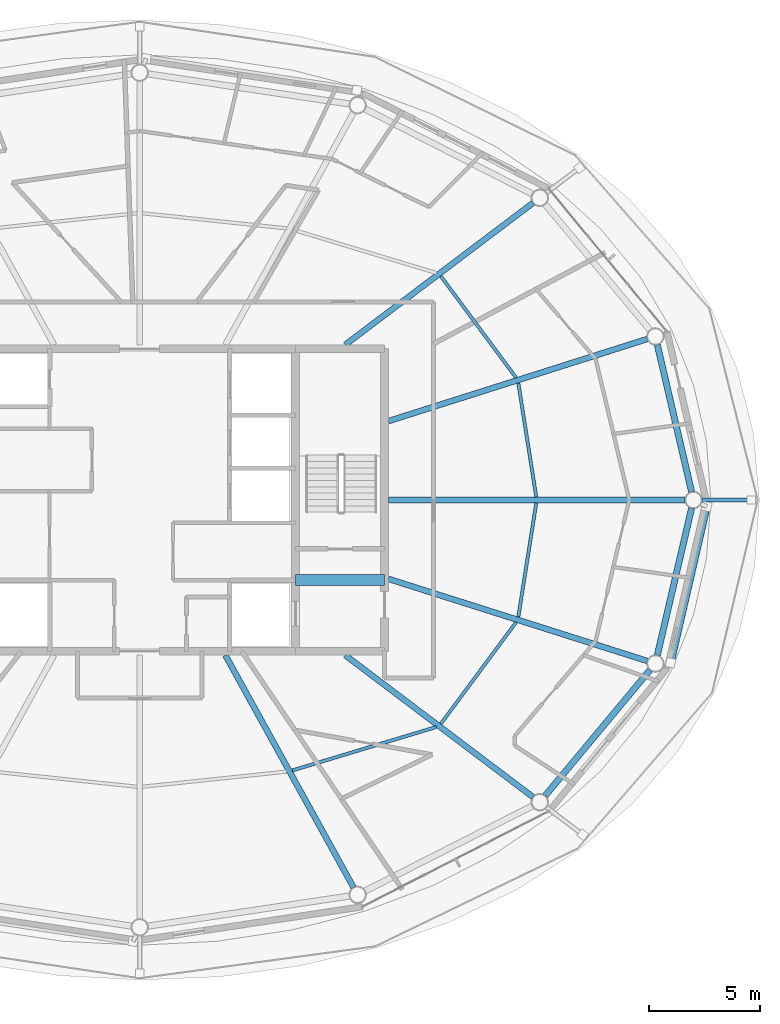
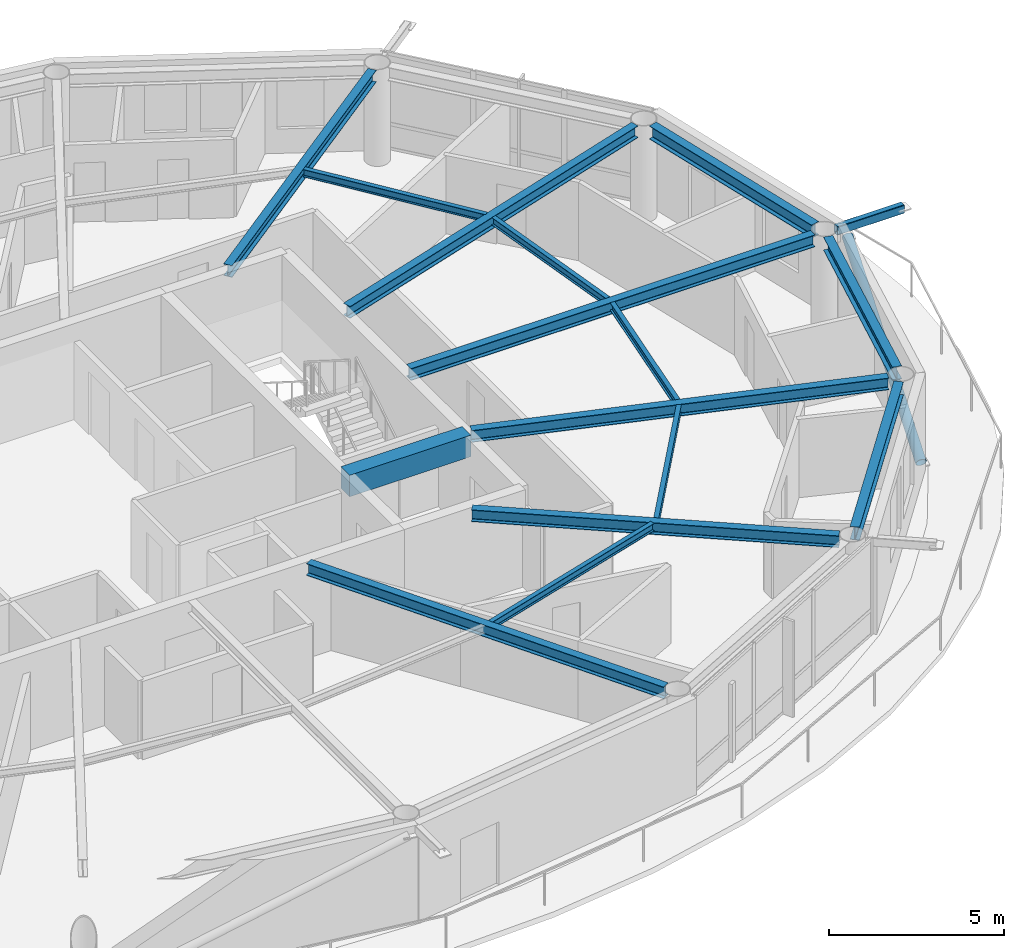
# One storey, part 6 of 22: 15 beams, 2 members.
"""IFC4 building model written with IfcOpenShell, lengths in metres."""

from ifc_helpers import new_model, si_unit, direction, frame, origin, origin_2d, place, context, subcontext, project, spatial, rectangle, hollow_rectangle, hollow_circle, i_section, extrude, material, material_profile, profile_set, type_object, element, save


model = new_model("IFC4")

# Units and contexts
model_context = context("Model", 3, precision=1e-05, world=origin(), true_north=direction((0.0, 1.0)))
body_context = subcontext(model_context, "Body", "Model", "MODEL_VIEW")
ifc_project = project(units=[si_unit("LENGTHUNIT", "METRE"), si_unit("AREAUNIT", "SQUARE_METRE"), si_unit("VOLUMEUNIT", "CUBIC_METRE"), si_unit("PLANEANGLEUNIT", "RADIAN"), si_unit("MASSUNIT", "GRAM", prefix="KILO")], contexts=[model_context])

# Site, building, storey
site_placement = place(None, origin())
site = spatial("IfcSite", under=ifc_project, at=site_placement, CompositionType="ELEMENT")
building_placement = place(site_placement, origin())
building = spatial("IfcBuilding", under=site, at=building_placement, Name="Sarneth Arch Tower", CompositionType="ELEMENT")
storey_placement = place(building_placement, frame((0.0, 0.0, 287.39990234375)))
storey = spatial("IfcBuildingStorey", under=building, at=storey_placement, Name="L74", CompositionType="ELEMENT", Elevation=287.39990234375)

# Beams
ifc_material_1 = material(Name="Steel S355", Category="steel")
ifc_material_profile_1 = material_profile(ifc_material_1, i_section(OverallWidth=0.14794921875, OverallDepth=0.26611328125, WebThickness=0.007568359375, FlangeThickness=0.012939453125, FilletRadius=0.012939453125, at=origin_2d()), Name="W250x44.8")
ifc_profile_set_1 = profile_set([ifc_material_profile_1], Name="Steel S355")
beam_type_1 = type_object("IfcBeamType", Name="BM-JOIST-250", PredefinedType="JOIST", material=ifc_profile_set_1)
beam_1_placement = place(storey_placement, frame((65.818359375, 42.12841796875, 3.237060546875), z_axis=(-0.155520890899, 0.987832603478, 0.0), x_axis=(-0.987832603478, -0.155520890899, 0.0)))
element("IfcBeam", 1, at=beam_1_placement, inside=storey, type_object=beam_type_1, Name="L74 Secondary floor joist 01", PredefinedType="JOIST", context=body_context, shape_type="SweptSolid", body=[
    extrude(i_section(OverallWidth=0.14794921875, OverallDepth=0.26611328125, WebThickness=0.007568359375, FlangeThickness=0.012939453125, FilletRadius=0.012939453125, at=origin_2d()), origin(), (0.0, 0.0, 1.0), 5.194580078125),
])
beam_2_placement = place(storey_placement, frame((64.912841796875, 47.49267578125, 3.237060546875), z_axis=(-0.595431044136, 0.803406417499, 0.0), x_axis=(-0.803406417499, -0.595431044136, 0.0)))
element("IfcBeam", 2, at=beam_2_placement, inside=storey, type_object=beam_type_1, Name="L74 Secondary floor joist 02", PredefinedType="JOIST", context=body_context, shape_type="SweptSolid", body=[
    extrude(i_section(OverallWidth=0.14794921875, OverallDepth=0.26611328125, WebThickness=0.007568359375, FlangeThickness=0.012939453125, FilletRadius=0.012939453125, at=origin_2d()), origin(), (0.0, 0.0, 1.0), 5.680419921875),
])
beam_3_placement = place(storey_placement, frame((54.852783203125, 29.84765625, 3.237060546875), z_axis=(0.957373106971, 0.288854174367, 0.0), x_axis=(-0.288854174367, 0.957373106971, 0.0)))
element("IfcBeam", 3, at=beam_3_placement, inside=storey, type_object=beam_type_1, Name="L74 Secondary floor joist 14", PredefinedType="JOIST", context=body_context, shape_type="SweptSolid", body=[
    extrude(i_section(OverallWidth=0.14794921875, OverallDepth=0.26611328125, WebThickness=0.007568359375, FlangeThickness=0.012939453125, FilletRadius=0.012939453125, at=origin_2d()), origin(), (0.0, 0.0, 1.0), 6.76416015625),
])
beam_4_placement = place(storey_placement, frame((61.530517578125, 31.943603515625, 3.237060546875), z_axis=(0.595431044136, 0.803406417499, 0.0), x_axis=(-0.803406417499, 0.595431044136, 0.0)))
element("IfcBeam", 4, at=beam_4_placement, inside=storey, type_object=beam_type_1, Name="L74 Secondary floor joist 15", PredefinedType="JOIST", context=body_context, shape_type="SweptSolid", body=[
    extrude(i_section(OverallWidth=0.14794921875, OverallDepth=0.26611328125, WebThickness=0.007568359375, FlangeThickness=0.012939453125, FilletRadius=0.012939453125, at=origin_2d()), origin(), (0.0, 0.0, 1.0), 5.680419921875),
])
beam_5_placement = place(storey_placement, frame((65.010498046875, 36.740234375, 3.237060546875), z_axis=(0.155520890899, 0.987832603478, 0.0), x_axis=(-0.987832603478, 0.155520890899, 0.0)))
element("IfcBeam", 5, at=beam_5_placement, inside=storey, type_object=beam_type_1, Name="L74 Secondary floor joist 16", PredefinedType="JOIST", context=body_context, shape_type="SweptSolid", body=[
    extrude(i_section(OverallWidth=0.14794921875, OverallDepth=0.26611328125, WebThickness=0.007568359375, FlangeThickness=0.012939453125, FilletRadius=0.012939453125, at=origin_2d()), origin(), (0.0, 0.0, 1.0), 5.194580078125),
])
ifc_material_2 = material(Name="Concrete C50/60", Category="concrete")
ifc_material_profile_2 = material_profile(ifc_material_2, rectangle(XDim=0.5, YDim=0.75, at=origin_2d()), Name="RC-500x750")
ifc_profile_set_2 = profile_set([ifc_material_profile_2], Name="Concrete C50/60")
beam_type_2 = type_object("IfcBeamType", Name="BM-LINTEL-RC", PredefinedType="LINTEL", material=ifc_profile_set_2)
beam_6_placement = place(storey_placement, frame((55.0, 38.39990234375, 2.9951171875), z_axis=(1.0, 0.0, 0.0), x_axis=(0.0, 1.0, 0.0)))
element("IfcBeam", 6, at=beam_6_placement, inside=storey, type_object=beam_type_2, Name="L74 Core coupling lintel E", PredefinedType="LINTEL", context=body_context, shape_type="SweptSolid", body=[
    extrude(rectangle(XDim=0.5, YDim=0.75, at=origin_2d()), origin(), (0.0, 0.0, 1.0), 4.0),
])
ifc_material_3 = material(Name="Steel S355", Category="steel")
ifc_material_profile_3 = material_profile(ifc_material_3, i_section(OverallWidth=0.260009765625, OverallDepth=0.4150390625, WebThickness=0.010009765625, FlangeThickness=0.016845703125, FilletRadius=0.01611328125, at=origin_2d()), Name="W410x100")
ifc_profile_set_3 = profile_set([ifc_material_profile_3], Name="Steel S355")
beam_type_3 = type_object("IfcBeamType", Name="BM-RAD-410A", PredefinedType="BEAM", material=ifc_profile_set_3)
beam_7_placement = place(storey_placement, frame((59.175048828125, 42.0, 3.16259765625), z_axis=(1.0, 0.0, 0.0), x_axis=(0.0, 1.0, 0.0)))
element("IfcBeam", 7, at=beam_7_placement, inside=storey, type_object=beam_type_3, Name="L74 Radial floor girder 01", PredefinedType="BEAM", context=body_context, shape_type="SweptSolid", body=[
    extrude(i_section(OverallWidth=0.260009765625, OverallDepth=0.4150390625, WebThickness=0.010009765625, FlangeThickness=0.016845703125, FilletRadius=0.01611328125, at=origin_2d()), origin(), (0.0, 0.0, 1.0), 13.3271484375),
])
beam_8_placement = place(storey_placement, frame((59.175048828125, 45.5439453125, 3.16259765625), z_axis=(0.953213623044, 0.302297517096, 0.0), x_axis=(-0.302297517096, 0.953213623044, 0.0)))
element("IfcBeam", 8, at=beam_8_placement, inside=storey, type_object=beam_type_3, Name="L74 Radial floor girder 02", PredefinedType="BEAM", context=body_context, shape_type="SweptSolid", body=[
    extrude(i_section(OverallWidth=0.260009765625, OverallDepth=0.4150390625, WebThickness=0.010009765625, FlangeThickness=0.016845703125, FilletRadius=0.01611328125, at=origin_2d()), origin(), (0.0, 0.0, 1.0), 12.201416015625),
])
beam_9_placement = place(storey_placement, frame((57.23486328125, 48.97509765625, 3.16259765625), z_axis=(0.797969745164, 0.602697507713, 0.0), x_axis=(-0.602697507713, 0.797969745164, 0.0)))
element("IfcBeam", 9, at=beam_9_placement, inside=storey, type_object=beam_type_3, Name="L74 Radial floor girder 03", PredefinedType="BEAM", context=body_context, shape_type="SweptSolid", body=[
    extrude(i_section(OverallWidth=0.260009765625, OverallDepth=0.4150390625, WebThickness=0.010009765625, FlangeThickness=0.016845703125, FilletRadius=0.01611328125, at=origin_2d()), origin(), (0.0, 0.0, 1.0), 10.572265625),
])
beam_10_placement = place(storey_placement, frame((51.849853515625, 35.02490234375, 3.16259765625), z_axis=(0.483231193732, -0.875492783182, 0.0), x_axis=(0.875492783182, 0.483231193732, 0.0)))
element("IfcBeam", 10, at=beam_10_placement, inside=storey, type_object=beam_type_3, Name="L74 Radial floor girder 14", PredefinedType="BEAM", context=body_context, shape_type="SweptSolid", body=[
    extrude(i_section(OverallWidth=0.260009765625, OverallDepth=0.4150390625, WebThickness=0.010009765625, FlangeThickness=0.016845703125, FilletRadius=0.01611328125, at=origin_2d()), origin(), (0.0, 0.0, 1.0), 11.913330078125),
])
beam_11_placement = place(storey_placement, frame((57.23486328125, 35.02490234375, 3.16259765625), z_axis=(0.797969745164, -0.602697507713, 0.0), x_axis=(0.602697507713, 0.797969745164, 0.0)))
element("IfcBeam", 11, at=beam_11_placement, inside=storey, type_object=beam_type_3, Name="L74 Radial floor girder 15", PredefinedType="BEAM", context=body_context, shape_type="SweptSolid", body=[
    extrude(i_section(OverallWidth=0.260009765625, OverallDepth=0.4150390625, WebThickness=0.010009765625, FlangeThickness=0.016845703125, FilletRadius=0.01611328125, at=origin_2d()), origin(), (0.0, 0.0, 1.0), 10.572265625),
])
beam_12_placement = place(storey_placement, frame((59.175048828125, 38.4560546875, 3.16259765625), z_axis=(0.953213623044, -0.302297517096, 0.0), x_axis=(0.302297517096, 0.953213623044, 0.0)))
element("IfcBeam", 12, at=beam_12_placement, inside=storey, type_object=beam_type_3, Name="L74 Radial floor girder 16", PredefinedType="BEAM", context=body_context, shape_type="SweptSolid", body=[
    extrude(i_section(OverallWidth=0.260009765625, OverallDepth=0.4150390625, WebThickness=0.010009765625, FlangeThickness=0.016845703125, FilletRadius=0.01611328125, at=origin_2d()), origin(), (0.0, 0.0, 1.0), 12.201416015625),
])
ifc_material_4 = material(Name="Steel S355", Category="steel")
ifc_material_profile_4 = material_profile(ifc_material_4, i_section(OverallWidth=0.280029296875, OverallDepth=0.462890625, WebThickness=0.0107421875, FlangeThickness=0.017333984375, FilletRadius=0.01806640625, at=origin_2d()), Name="W460x113")
ifc_profile_set_4 = profile_set([ifc_material_profile_4], Name="Steel S355")
beam_type_4 = type_object("IfcBeamType", Name="BM-RAD-460A", PredefinedType="BEAM", material=ifc_profile_set_4)
beam_13_placement = place(storey_placement, frame((72.796630859375, 42.37109375, 3.138671875), z_axis=(-0.227227339933, 0.973841740729, 0.0), x_axis=(-0.973841740729, -0.227227339933, 0.0)))
element("IfcBeam", 13, at=beam_13_placement, inside=storey, type_object=beam_type_4, Name="L74 Perimeter spandrel beam 01", PredefinedType="BEAM", context=body_context, shape_type="SweptSolid", body=[
    extrude(i_section(OverallWidth=0.280029296875, OverallDepth=0.462890625, WebThickness=0.0107421875, FlangeThickness=0.017333984375, FilletRadius=0.01806640625, at=origin_2d()), origin(), (0.0, 0.0, 1.0), 6.782958984375),
])
beam_14_placement = place(storey_placement, frame((66.21923828125, 28.716064453125, 3.138671875), z_axis=(0.640377192996, 0.768060577487, 0.0), x_axis=(-0.768060577487, 0.640377192996, 0.0)))
element("IfcBeam", 14, at=beam_14_placement, inside=storey, type_object=beam_type_4, Name="L74 Perimeter spandrel beam 15", PredefinedType="BEAM", context=body_context, shape_type="SweptSolid", body=[
    extrude(i_section(OverallWidth=0.280029296875, OverallDepth=0.462890625, WebThickness=0.0107421875, FlangeThickness=0.017333984375, FilletRadius=0.01806640625, at=origin_2d()), origin(), (0.0, 0.0, 1.0), 7.34814453125),
])
beam_15_placement = place(storey_placement, frame((71.25537109375, 35.0234375, 3.138671875), z_axis=(0.227227339933, 0.973841740729, 0.0), x_axis=(-0.973841740729, 0.227227339933, 0.0)))
element("IfcBeam", 15, at=beam_15_placement, inside=storey, type_object=beam_type_4, Name="L74 Perimeter spandrel beam 16", PredefinedType="BEAM", context=body_context, shape_type="SweptSolid", body=[
    extrude(i_section(OverallWidth=0.280029296875, OverallDepth=0.462890625, WebThickness=0.0107421875, FlangeThickness=0.017333984375, FilletRadius=0.01806640625, at=origin_2d()), origin(), (0.0, 0.0, 1.0), 6.782958984375),
])

# Members
ifc_material_5 = material(Name="Steel S355", Category="steel")
ifc_material_profile_5 = material_profile(ifc_material_5, hollow_rectangle(XDim=0.199951171875, YDim=0.300048828125, WallThickness=0.012451171875, InnerFilletRadius=0.018798828125, OuterFilletRadius=0.03125, at=origin_2d()), Name="RHS300x200x12.5")
ifc_profile_set_5 = profile_set([ifc_material_profile_5], Name="Steel S355")
member_type_1 = type_object("IfcMemberType", Name="MEM-CANT-STRUT", PredefinedType="STRUT", material=ifc_profile_set_5)
member_1_placement = place(storey_placement, frame((73.26416015625, 42.0, 3.210205078125), z_axis=(1.0, 0.0, 0.0), x_axis=(0.0, 1.0, 0.0)))
element("IfcMember", 16, at=member_1_placement, inside=storey, type_object=member_type_1, Name="L74 Balcony cantilever bracket 01", PredefinedType="STRUT", context=body_context, shape_type="SweptSolid", body=[
    extrude(hollow_rectangle(XDim=0.199951171875, YDim=0.300048828125, WallThickness=0.012451171875, InnerFilletRadius=0.018798828125, OuterFilletRadius=0.03125, at=origin_2d()), origin(), (0.0, 0.0, 1.0), 2.202392578125),
])
ifc_material_6 = material(Name="Steel S355", Category="steel")
ifc_material_profile_6 = material_profile(ifc_material_6, hollow_circle(Radius=0.162109375, WallThickness=0.012451171875, at=origin_2d()), Name="CHS324x12.5")
ifc_profile_set_6 = profile_set([ifc_material_profile_6], Name="Steel S355")
member_type_2 = type_object("IfcMemberType", Name="MEM-DIAG-BR3", PredefinedType="BRACE", material=ifc_profile_set_6)
member_2_placement = place(storey_placement, frame((71.851806640625, 34.6845703125, 0.02001953125), z_axis=(0.207343373373, 0.896265487877, 0.392067469651), x_axis=(-0.974268900284, 0.225388797281, 0.0)))
element("IfcMember", 17, at=member_2_placement, inside=storey, type_object=member_type_2, Name="L74 Perimeter frame diagonal 16", PredefinedType="BRACE", context=body_context, shape_type="SweptSolid", body=[
    extrude(hollow_circle(Radius=0.162109375, WallThickness=0.012451171875, at=origin_2d()), origin(), (0.0, 0.0, 1.0), 7.836181640625),
])

save(model, "model.ifc")
